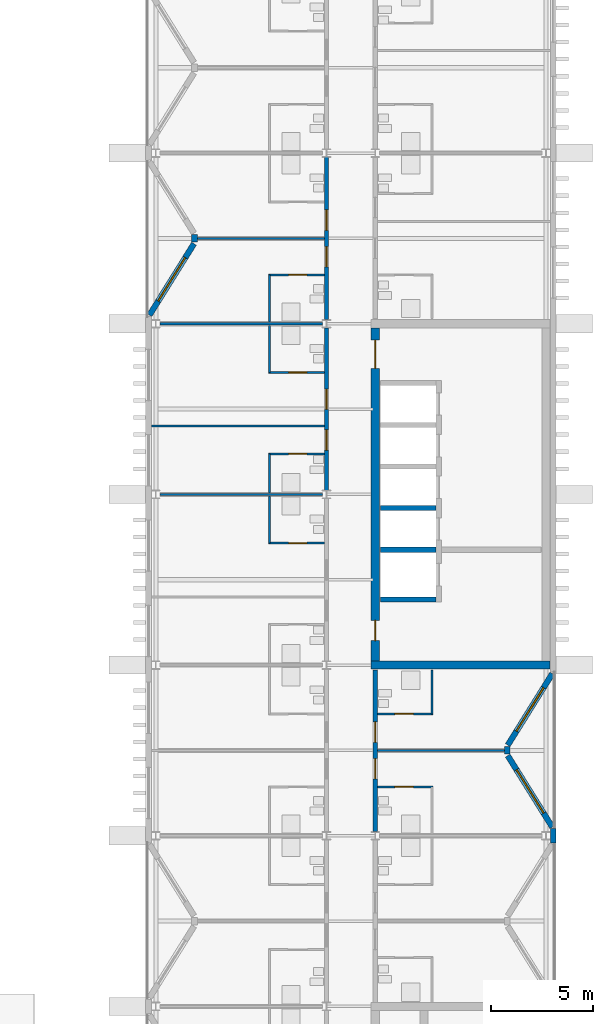
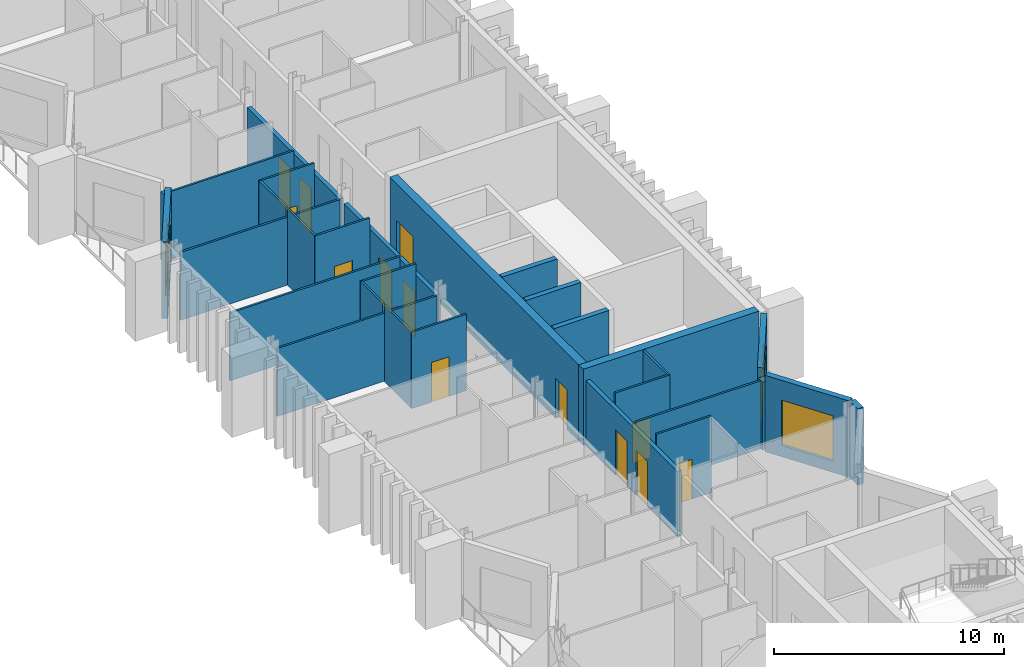
# One storey, part 12 of 21: 30 walls, 14 doors, 3 windows, 17 openings.
"""IFC4 building model written with IfcOpenShell, lengths in metres."""

import ifcopenshell
import ifcopenshell.guid

model = None  # the IFC model being written
_history = None  # IfcOwnerHistory: only IFC2X3 demands one
_inside = {}  # id of a spatial element -> (the spatial element, [elements in it])
_under = {}  # id of a project, library or spatial element -> (it, [spatial elements below it])
_declared = {}  # id of a project -> (the project, [libraries it declares])
_typed = {}  # id of a type object -> (the type object, [elements of that type])
_made_of = {}  # id of a material, layer set ... -> (it, [elements and type objects made of it])


def new_model(schema):
    """Start an empty IFC model of exactly this schema.

    Asked for "IFC4X3", IfcOpenShell would pick the latest addendum, in which some entities
    have other attributes; the version numbers below select the first issue.
    IFC2X3 requires an IfcOwnerHistory on every rooted entity: one is made here for all.
    """
    global model, _history
    if schema == "IFC4X3":
        model = ifcopenshell.file(schema_version=(4, 3, 0, 0))
    else:
        model = ifcopenshell.file(schema=schema)
    _inside.clear()
    _under.clear()
    _declared.clear()
    _typed.clear()
    _made_of.clear()
    _history = None
    if model.schema == "IFC2X3":
        org = make("IfcOrganization", Name="unknown")
        user = make(
            "IfcPersonAndOrganization",
            ThePerson=make("IfcPerson", FamilyName="unknown"),
            TheOrganization=org,
        )
        app = make(
            "IfcApplication",
            ApplicationDeveloper=org,
            Version="unknown",
            ApplicationFullName="unknown",
            ApplicationIdentifier="unknown",
        )
        _history = make(
            "IfcOwnerHistory",
            OwningUser=user,
            OwningApplication=app,
            ChangeAction="ADDED",
            CreationDate=0,
        )
    return model


def make(cls, **values):
    """One entity of the class cls with the attributes given. An attribute that is None is left unset."""
    return model.create_entity(
        cls, **{name: value for name, value in values.items() if value is not None}
    )


def rooted(cls, **values):
    """An entity with a GlobalId (a new one), such as an element, a storey or a relation."""
    return make(cls, GlobalId=ifcopenshell.guid.new(), OwnerHistory=_history, **values)


def si_unit(unit_type, name, prefix=None):
    """IfcSIUnit, for example si_unit("LENGTHUNIT", "METRE", prefix="MILLI")."""
    return make("IfcSIUnit", UnitType=unit_type, Prefix=prefix, Name=name)


def assignment(units):
    """IfcUnitAssignment: the units of a project."""
    return None if units is None else make("IfcUnitAssignment", Units=units)


def point(xyz):
    """IfcCartesianPoint."""
    return None if xyz is None else make("IfcCartesianPoint", Coordinates=xyz)


def direction(xyz):
    """IfcDirection."""
    return None if xyz is None else make("IfcDirection", DirectionRatios=xyz)


def frame(location, z_axis=None, x_axis=None):
    """IfcAxis2Placement3D, a coordinate frame: its origin and axes. An axis left out is left unset."""
    return make(
        "IfcAxis2Placement3D",
        Location=point(location),
        Axis=direction(z_axis),
        RefDirection=direction(x_axis),
    )


def frame_2d(location, x_axis=None):
    """IfcAxis2Placement2D, a coordinate frame in the plane: its origin and x axis."""
    return make(
        "IfcAxis2Placement2D", Location=point(location), RefDirection=direction(x_axis)
    )


def origin():
    """The frame at (0, 0, 0) with its axes left unset."""
    return frame((0.0, 0.0, 0.0))


def place(relative_to, where):
    """IfcLocalPlacement: puts the frame where relative to a parent placement (None: the world)."""
    return make(
        "IfcLocalPlacement", PlacementRelTo=relative_to, RelativePlacement=where
    )


def context(
    kind, dimensions, precision=None, world=None, true_north=None, identifier=None
):
    """IfcGeometricRepresentationContext, for example the 3D "Model" context."""
    return make(
        "IfcGeometricRepresentationContext",
        ContextIdentifier=identifier,
        ContextType=kind,
        CoordinateSpaceDimension=dimensions,
        Precision=precision,
        WorldCoordinateSystem=world,
        TrueNorth=true_north,
    )


def subcontext(parent, identifier, kind, view, scale=None):
    """IfcGeometricRepresentationSubContext, for example "Body" below "Model"."""
    return make(
        "IfcGeometricRepresentationSubContext",
        ContextIdentifier=identifier,
        ContextType=kind,
        ParentContext=parent,
        TargetScale=scale,
        TargetView=view,
    )


def project(units=None, contexts=None):
    """IfcProject with its units and contexts."""
    return rooted(
        "IfcProject",
        Name="project",
        RepresentationContexts=contexts,
        UnitsInContext=assignment(units),
    )


def spatial(cls, under=None, at=None, **own):
    """A site, building, storey or space (cls), placed at a placement, below another one or the project."""
    s = rooted(cls, ObjectPlacement=at, **own)
    if under is not None:
        _under.setdefault(under.id(), (under, []))[1].append(s)
    return s


def profile(cls, at=None, kind="AREA", **sizes):
    """A parametric profile (cls). Its sizes go by their IFC names, for example OverallWidth=200.0."""
    return make(cls, ProfileType=kind, Position=at, **sizes)


def rectangle(**sizes):
    """IfcRectangleProfileDef."""
    return profile("IfcRectangleProfileDef", **sizes)


def extrude(swept, where, along, depth):
    """IfcExtrudedAreaSolid: the profile swept, set in the frame where, extruded along a direction by depth."""
    return make(
        "IfcExtrudedAreaSolid",
        SweptArea=swept,
        Position=where,
        ExtrudedDirection=direction(along),
        Depth=depth,
    )


def shape(context_of_items, identifier, shape_type, items):
    """IfcShapeRepresentation: the items that make up one representation, for example the "Body"."""
    return make(
        "IfcShapeRepresentation",
        ContextOfItems=context_of_items,
        RepresentationIdentifier=identifier,
        RepresentationType=shape_type,
        Items=items,
    )


def material(Name=None, Category=None):
    """IfcMaterial."""
    return make("IfcMaterial", Name=Name, Category=Category)


def layer(
    of_material, thickness, ventilated=None, Name=None, Category=None, Priority=None
):
    """IfcMaterialLayer: one layer of a wall or slab, of a material (None: an air gap)."""
    return make(
        "IfcMaterialLayer",
        Material=of_material,
        LayerThickness=thickness,
        IsVentilated=ventilated,
        Name=Name,
        Category=Category,
        Priority=Priority,
    )


def layer_set(layers, Name=None):
    """IfcMaterialLayerSet."""
    return make("IfcMaterialLayerSet", MaterialLayers=layers, LayerSetName=Name)


def made_of(thing, what):
    """Note that an element or type object is made of a material, layer set ...; save() writes the relation."""
    if what is not None:
        _made_of.setdefault(what.id(), (what, []))[1].append(thing)
    return thing


def type_object(cls, material=None, **own):
    """A type object (cls), such as IfcWallType, which elements share."""
    return made_of(rooted(cls, **own), material)


def element(
    cls,
    number,
    at=None,
    inside=None,
    cuts=None,
    type_object=None,
    material=None,
    context=None,
    identifier="Body",
    shape_type=None,
    held_by="IfcProductDefinitionShape",
    body=None,
    shapes=None,
    **own,
):
    """One element of the class cls, such as IfcWall. Its Tag is "e" and its number.

    at: its placement. inside: the storey or other place that contains it. cuts: it is an
    opening in that element (IfcRelVoidsElement). A single representation is given by context,
    identifier, shape_type and body (its items); several are given by shapes. held_by: the class
    of the entity that holds the representations. save() writes the other relations.
    """
    e = rooted(cls, Tag="e%d" % number, ObjectPlacement=at, **own)
    if body is not None:
        shapes = [shape(context, identifier, shape_type, body)]
    if shapes is not None:
        e.Representation = make(held_by, Representations=shapes)
    if inside is not None:
        _inside.setdefault(inside.id(), (inside, []))[1].append(e)
    if cuts is not None:
        rooted(
            "IfcRelVoidsElement", RelatingBuildingElement=cuts, RelatedOpeningElement=e
        )
    if type_object is not None:
        _typed.setdefault(type_object.id(), (type_object, []))[1].append(e)
    return made_of(e, material)


def fill(opening, filler):
    """IfcRelFillsElement: the door or window that sits in an opening."""
    return rooted(
        "IfcRelFillsElement",
        RelatingOpeningElement=opening,
        RelatedBuildingElement=filler,
    )


def aggregate(whole, parts):
    """IfcRelAggregates: a whole, such as a stair, and the parts it consists of."""
    return rooted("IfcRelAggregates", RelatingObject=whole, RelatedObjects=parts)


def save(model, path):
    """Write the relations noted so far, then the file.

    IfcRelAggregates (storeys below a building ...), IfcRelContainedInSpatialStructure (elements
    in a storey), IfcRelDefinesByType, IfcRelAssociatesMaterial and IfcRelDeclares: one each for
    every whole, place, type object, material and project.
    """
    for whole, parts in _under.values():
        aggregate(whole, parts)
    for where, things in _inside.values():
        rooted(
            "IfcRelContainedInSpatialStructure",
            RelatedElements=things,
            RelatingStructure=where,
        )
    for kind, things in _typed.values():
        rooted("IfcRelDefinesByType", RelatedObjects=things, RelatingType=kind)
    for what, things in _made_of.values():
        rooted("IfcRelAssociatesMaterial", RelatedObjects=things, RelatingMaterial=what)
    for by, libraries in _declared.values():
        rooted("IfcRelDeclares", RelatingContext=by, RelatedDefinitions=libraries)
    model.write(path)


model = new_model("IFC4")

# Units and contexts
model_context = context("Model", 3, precision=1e-05, world=origin(), true_north=direction((0.0, 1.0)))
body_context = subcontext(model_context, "Body", "Model", "MODEL_VIEW")
ifc_project = project(units=[si_unit("LENGTHUNIT", "METRE"), si_unit("AREAUNIT", "SQUARE_METRE"), si_unit("VOLUMEUNIT", "CUBIC_METRE"), si_unit("PLANEANGLEUNIT", "RADIAN"), si_unit("MASSUNIT", "GRAM", prefix="KILO")], contexts=[model_context])

# Site, building, storey
site_placement = place(None, origin())
site = spatial("IfcSite", under=ifc_project, at=site_placement, CompositionType="ELEMENT")
building_placement = place(site_placement, origin())
building = spatial("IfcBuilding", under=site, at=building_placement, Name="Cresset Court Congress Hotel", CompositionType="ELEMENT")
storey_placement = place(building_placement, frame((0.0, 0.0, 22.800048828125)))
storey = spatial("IfcBuildingStorey", under=building, at=storey_placement, Name="L05", CompositionType="ELEMENT", Elevation=22.800048828125)

# Wall, openings, doors
ifc_material_1 = material(Name="Gypsum board partition")
ifc_layer_1 = layer(ifc_material_1, 0.199951171875)
ifc_layer_set_1 = layer_set([ifc_layer_1], Name="Corridor wall 200")
wall_type_1 = type_object("IfcWallType", Name="Corridor wall 200", PredefinedType="PARTITIONING", material=ifc_layer_set_1)
wall_1_placement = place(storey_placement, frame((165.60009765625, 33.800048828125, 0.0), z_axis=(0.0, 0.0, 1.0), x_axis=(0.0, 1.0, 0.0)))
wall_1 = element("IfcWall", 1, at=wall_1_placement, inside=storey, type_object=wall_type_1, Name="A.wl.L05.074", PredefinedType="PARTITIONING", context=body_context, shape_type="SweptSolid", body=[
    extrude(rectangle(XDim=8.0, YDim=0.199951171875, at=frame_2d((4.0, 0.0))), origin(), (0.0, 0.0, 1.0), 3.449951171875),
])
opening_1_placement = place(wall_1_placement, frame((1.97998046875, 0.0, 0.0)))
opening_1 = element("IfcOpeningElement", 2, at=opening_1_placement, cuts=wall_1, Name="Opening DA-05-18", PredefinedType="OPENING", context=body_context, shape_type="SweptSolid", body=[
    extrude(rectangle(XDim=1.0, YDim=2.39990234375, at=frame_2d((0.5, 1.199951171875))), frame((0.0, 0.10986328125, 0.0), z_axis=(0.0, -1.0, 0.0), x_axis=(1.0, 0.0, 0.0)), (0.0, 0.0, 1.0), 0.219970703125),
])
opening_2_placement = place(wall_1_placement, frame((3.97998046875, 0.0, 0.0)))
opening_2 = element("IfcOpeningElement", 3, at=opening_2_placement, cuts=wall_1, Name="Opening DA-05-20", PredefinedType="OPENING", context=body_context, shape_type="SweptSolid", body=[
    extrude(rectangle(XDim=1.0, YDim=2.39990234375, at=frame_2d((0.5, 1.199951171875))), frame((0.0, 0.10986328125, 0.0), z_axis=(0.0, -1.0, 0.0), x_axis=(1.0, 0.0, 0.0)), (0.0, 0.0, 1.0), 0.219970703125),
])
ifc_material_2 = material(Name="timber", Category="wood")
door_type_1 = type_object("IfcDoorType", Name="Guest-room entry door 1000x2400 FD30S", OperationType="SINGLE_SWING_LEFT", PredefinedType="DOOR", material=ifc_material_2)
door_1_placement = place(opening_1_placement, origin())
door_1 = element("IfcDoor", 4, at=door_1_placement, inside=storey, type_object=door_type_1, Name="Door DA-05-18", OperationType="SINGLE_SWING_RIGHT", OverallHeight=2.39990234375, OverallWidth=1.0, PredefinedType="DOOR", context=body_context, shape_type="SweptSolid", body=[
    extrude(rectangle(XDim=1.0, YDim=2.39990234375, at=frame_2d((0.5, 1.199951171875))), frame((0.0, 0.02490234375, 0.0), z_axis=(0.0, -1.0, 0.0), x_axis=(1.0, 0.0, 0.0)), (0.0, 0.0, 1.0), 0.050048828125),
])
fill(opening_1, door_1)
door_2_placement = place(opening_2_placement, origin())
door_2 = element("IfcDoor", 5, at=door_2_placement, inside=storey, type_object=door_type_1, Name="Door DA-05-20", OperationType="SINGLE_SWING_LEFT", OverallHeight=2.39990234375, OverallWidth=1.0, PredefinedType="DOOR", context=body_context, shape_type="SweptSolid", body=[
    extrude(rectangle(XDim=1.0, YDim=2.39990234375, at=frame_2d((0.5, 1.199951171875))), frame((0.0, 0.02490234375, 0.0), z_axis=(0.0, -1.0, 0.0), x_axis=(1.0, 0.0, 0.0)), (0.0, 0.0, 1.0), 0.050048828125),
])
fill(opening_2, door_2)

wall_2_placement = place(storey_placement, frame((165.60009765625, 42.199951171875, 0.0), z_axis=(0.0, 0.0, 1.0), x_axis=(0.0, 1.0, 0.0)))
wall_2 = element("IfcWall", 6, at=wall_2_placement, inside=storey, type_object=wall_type_1, Name="A.wl.L05.075", PredefinedType="PARTITIONING", context=body_context, shape_type="SweptSolid", body=[
    extrude(rectangle(XDim=8.0, YDim=0.199951171875, at=frame_2d((4.0, 0.0))), origin(), (0.0, 0.0, 1.0), 3.449951171875),
])
opening_3_placement = place(wall_2_placement, frame((2.60009765625, 0.0, 0.0)))
opening_3 = element("IfcOpeningElement", 7, at=opening_3_placement, cuts=wall_2, Name="Opening DA-05-22", PredefinedType="OPENING", context=body_context, shape_type="SweptSolid", body=[
    extrude(rectangle(XDim=1.0, YDim=2.39990234375, at=frame_2d((0.5, 1.199951171875))), frame((0.0, 0.10986328125, 0.0), z_axis=(0.0, -1.0, 0.0), x_axis=(1.0, 0.0, 0.0)), (0.0, 0.0, 1.0), 0.219970703125),
])
opening_4_placement = place(wall_2_placement, frame((4.39990234375, 0.0, 0.0)))
opening_4 = element("IfcOpeningElement", 8, at=opening_4_placement, cuts=wall_2, Name="Opening DA-05-24", PredefinedType="OPENING", context=body_context, shape_type="SweptSolid", body=[
    extrude(rectangle(XDim=1.0, YDim=2.39990234375, at=frame_2d((0.5, 1.199951171875))), frame((0.0, 0.10986328125, 0.0), z_axis=(0.0, -1.0, 0.0), x_axis=(1.0, 0.0, 0.0)), (0.0, 0.0, 1.0), 0.219970703125),
])
door_3_placement = place(opening_3_placement, origin())
door_3 = element("IfcDoor", 9, at=door_3_placement, inside=storey, type_object=door_type_1, Name="Door DA-05-22", OperationType="SINGLE_SWING_RIGHT", OverallHeight=2.39990234375, OverallWidth=1.0, PredefinedType="DOOR", context=body_context, shape_type="SweptSolid", body=[
    extrude(rectangle(XDim=1.0, YDim=2.39990234375, at=frame_2d((0.5, 1.199951171875))), frame((0.0, 0.02490234375, 0.0), z_axis=(0.0, -1.0, 0.0), x_axis=(1.0, 0.0, 0.0)), (0.0, 0.0, 1.0), 0.050048828125),
])
fill(opening_3, door_3)
door_4_placement = place(opening_4_placement, origin())
door_4 = element("IfcDoor", 10, at=door_4_placement, inside=storey, type_object=door_type_1, Name="Door DA-05-24", OperationType="SINGLE_SWING_LEFT", OverallHeight=2.39990234375, OverallWidth=1.0, PredefinedType="DOOR", context=body_context, shape_type="SweptSolid", body=[
    extrude(rectangle(XDim=1.0, YDim=2.39990234375, at=frame_2d((0.5, 1.199951171875))), frame((0.0, 0.02490234375, 0.0), z_axis=(0.0, -1.0, 0.0), x_axis=(1.0, 0.0, 0.0)), (0.0, 0.0, 1.0), 0.050048828125),
])
fill(opening_4, door_4)

wall_3_placement = place(storey_placement, frame((168.0, 17.0, 0.0), z_axis=(0.0, 0.0, 1.0), x_axis=(0.0, 1.0, 0.0)))
wall_3 = element("IfcWall", 11, at=wall_3_placement, inside=storey, type_object=wall_type_1, Name="A.wl.L05.079", PredefinedType="PARTITIONING", context=body_context, shape_type="SweptSolid", body=[
    extrude(rectangle(XDim=7.949951171875, YDim=0.199951171875, at=frame_2d((3.97509765625, 0.0))), origin(), (0.0, 0.0, 1.0), 3.449951171875),
])
opening_5_placement = place(wall_3_placement, frame((2.60009765625, 0.0, 0.0)))
opening_5 = element("IfcOpeningElement", 12, at=opening_5_placement, cuts=wall_3, Name="Opening DA-05-38", PredefinedType="OPENING", context=body_context, shape_type="SweptSolid", body=[
    extrude(rectangle(XDim=1.0, YDim=2.39990234375, at=frame_2d((0.5, 1.199951171875))), frame((0.0, 0.10986328125, 0.0), z_axis=(0.0, -1.0, 0.0), x_axis=(1.0, 0.0, 0.0)), (0.0, 0.0, 1.0), 0.219970703125),
])
opening_6_placement = place(wall_3_placement, frame((4.39990234375, 0.0, 0.0)))
opening_6 = element("IfcOpeningElement", 13, at=opening_6_placement, cuts=wall_3, Name="Opening DA-05-40", PredefinedType="OPENING", context=body_context, shape_type="SweptSolid", body=[
    extrude(rectangle(XDim=1.0, YDim=2.39990234375, at=frame_2d((0.5, 1.199951171875))), frame((0.0, 0.10986328125, 0.0), z_axis=(0.0, -1.0, 0.0), x_axis=(1.0, 0.0, 0.0)), (0.0, 0.0, 1.0), 0.219970703125),
])
door_5_placement = place(opening_5_placement, origin())
door_5 = element("IfcDoor", 14, at=door_5_placement, inside=storey, type_object=door_type_1, Name="Door DA-05-38", OperationType="SINGLE_SWING_RIGHT", OverallHeight=2.39990234375, OverallWidth=1.0, PredefinedType="DOOR", context=body_context, shape_type="SweptSolid", body=[
    extrude(rectangle(XDim=1.0, YDim=2.39990234375, at=frame_2d((0.5, 1.199951171875))), frame((0.0, 0.02490234375, 0.0), z_axis=(0.0, -1.0, 0.0), x_axis=(1.0, 0.0, 0.0)), (0.0, 0.0, 1.0), 0.050048828125),
])
fill(opening_5, door_5)
door_6_placement = place(opening_6_placement, origin())
door_6 = element("IfcDoor", 15, at=door_6_placement, inside=storey, type_object=door_type_1, Name="Door DA-05-40", OperationType="SINGLE_SWING_LEFT", OverallHeight=2.39990234375, OverallWidth=1.0, PredefinedType="DOOR", context=body_context, shape_type="SweptSolid", body=[
    extrude(rectangle(XDim=1.0, YDim=2.39990234375, at=frame_2d((0.5, 1.199951171875))), frame((0.0, 0.02490234375, 0.0), z_axis=(0.0, -1.0, 0.0), x_axis=(1.0, 0.0, 0.0)), (0.0, 0.0, 1.0), 0.050048828125),
])
fill(opening_6, door_6)

# Wall
ifc_material_3 = material(Name="Gypsum board partition")
ifc_layer_2 = layer(ifc_material_3, 0.10009765625)
ifc_layer_set_2 = layer_set([ifc_layer_2], Name="En-suite wall 100")
wall_type_2 = type_object("IfcWallType", Name="En-suite wall 100", PredefinedType="PARTITIONING", material=ifc_layer_set_2)
wall_4_placement = place(storey_placement, frame((162.800048828125, 31.199951171875, 0.0), z_axis=(0.0, 0.0, 1.0), x_axis=(0.0, 1.0, 0.0)))
element("IfcWall", 16, at=wall_4_placement, inside=storey, type_object=wall_type_2, Name="A.wl.L05.015", PredefinedType="PARTITIONING", context=body_context, shape_type="SweptSolid", body=[
    extrude(rectangle(XDim=2.324951171875, YDim=0.10009765625, at=frame_2d((1.16259765625, 0.0))), origin(), (0.0, 0.0, 1.0), 4.050048828125),
])

# Wall, opening, door
wall_5_placement = place(storey_placement, frame((162.75, 31.199951171875, 0.0), z_axis=(0.0, 0.0, 1.0), x_axis=(1.0, 0.0, 0.0)))
wall_5 = element("IfcWall", 17, at=wall_5_placement, inside=storey, type_object=wall_type_2, Name="A.wl.L05.016", PredefinedType="PARTITIONING", context=body_context, shape_type="SweptSolid", body=[
    extrude(rectangle(XDim=2.75, YDim=0.10009765625, at=frame_2d((1.375, 0.0))), origin(), (0.0, 0.0, 1.0), 4.050048828125),
])
opening_7_placement = place(wall_5_placement, frame((0.97998046875, 0.0, 0.0)))
opening_7 = element("IfcOpeningElement", 18, at=opening_7_placement, cuts=wall_5, Name="Opening DA-05-15", PredefinedType="OPENING", context=body_context, shape_type="SweptSolid", body=[
    extrude(rectangle(XDim=0.89990234375, YDim=2.10009765625, at=frame_2d((0.449951171875, 1.050048828125))), frame((0.0, 0.06005859375, 0.0), z_axis=(0.0, -1.0, 0.0), x_axis=(1.0, 0.0, 0.0)), (0.0, 0.0, 1.0), 0.1201171875),
])
ifc_material_4 = material(Name="timber", Category="wood")
door_type_2 = type_object("IfcDoorType", Name="En-suite door 900x2100", OperationType="SINGLE_SWING_LEFT", PredefinedType="DOOR", material=ifc_material_4)
door_7_placement = place(opening_7_placement, origin())
door_7 = element("IfcDoor", 19, at=door_7_placement, inside=storey, type_object=door_type_2, Name="Door DA-05-15", OperationType="SINGLE_SWING_LEFT", OverallHeight=2.10009765625, OverallWidth=0.89990234375, PredefinedType="DOOR", context=body_context, shape_type="SweptSolid", body=[
    extrude(rectangle(XDim=0.89990234375, YDim=2.10009765625, at=frame_2d((0.449951171875, 1.050048828125))), frame((0.0, 0.02490234375, 0.0), z_axis=(0.0, -1.0, 0.0), x_axis=(1.0, 0.0, 0.0)), (0.0, 0.0, 1.0), 0.050048828125),
])
fill(opening_7, door_7)

# Wall
wall_6_placement = place(storey_placement, frame((162.800048828125, 33.675048828125, 0.0), z_axis=(0.0, 0.0, 1.0), x_axis=(0.0, 1.0, 0.0)))
element("IfcWall", 20, at=wall_6_placement, inside=storey, type_object=wall_type_2, Name="A.wl.L05.017", PredefinedType="PARTITIONING", context=body_context, shape_type="SweptSolid", body=[
    extrude(rectangle(XDim=1.925048828125, YDim=0.10009765625, at=frame_2d((0.96240234375, 0.0))), origin(), (0.0, 0.0, 1.0), 4.050048828125),
])

# Wall, opening, door
wall_7_placement = place(storey_placement, frame((162.75, 35.60009765625, 0.0), z_axis=(0.0, 0.0, 1.0), x_axis=(1.0, 0.0, 0.0)))
wall_7 = element("IfcWall", 21, at=wall_7_placement, inside=storey, type_object=wall_type_2, Name="A.wl.L05.018", PredefinedType="PARTITIONING", context=body_context, shape_type="SweptSolid", body=[
    extrude(rectangle(XDim=2.75, YDim=0.10009765625, at=frame_2d((1.375, 0.0))), origin(), (0.0, 0.0, 1.0), 4.050048828125),
])
opening_8_placement = place(wall_7_placement, frame((0.97998046875, 0.0, 0.0)))
opening_8 = element("IfcOpeningElement", 22, at=opening_8_placement, cuts=wall_7, Name="Opening DA-05-17", PredefinedType="OPENING", context=body_context, shape_type="SweptSolid", body=[
    extrude(rectangle(XDim=0.89990234375, YDim=2.10009765625, at=frame_2d((0.449951171875, 1.050048828125))), frame((0.0, 0.06005859375, 0.0), z_axis=(0.0, -1.0, 0.0), x_axis=(1.0, 0.0, 0.0)), (0.0, 0.0, 1.0), 0.1201171875),
])
door_8_placement = place(opening_8_placement, origin())
door_8 = element("IfcDoor", 23, at=door_8_placement, inside=storey, type_object=door_type_2, Name="Door DA-05-17", OperationType="SINGLE_SWING_RIGHT", OverallHeight=2.10009765625, OverallWidth=0.89990234375, PredefinedType="DOOR", context=body_context, shape_type="SweptSolid", body=[
    extrude(rectangle(XDim=0.89990234375, YDim=2.10009765625, at=frame_2d((0.449951171875, 1.050048828125))), frame((0.0, 0.02490234375, 0.0), z_axis=(0.0, -1.0, 0.0), x_axis=(1.0, 0.0, 0.0)), (0.0, 0.0, 1.0), 0.050048828125),
])
fill(opening_8, door_8)

# Wall
wall_8_placement = place(storey_placement, frame((162.800048828125, 39.60009765625, 0.0), z_axis=(0.0, 0.0, 1.0), x_axis=(0.0, 1.0, 0.0)))
element("IfcWall", 24, at=wall_8_placement, inside=storey, type_object=wall_type_2, Name="A.wl.L05.019", PredefinedType="PARTITIONING", context=body_context, shape_type="SweptSolid", body=[
    extrude(rectangle(XDim=2.324951171875, YDim=0.10009765625, at=frame_2d((1.16259765625, 0.0))), origin(), (0.0, 0.0, 1.0), 4.050048828125),
])

# Wall, opening, door
wall_9_placement = place(storey_placement, frame((162.75, 39.60009765625, 0.0), z_axis=(0.0, 0.0, 1.0), x_axis=(1.0, 0.0, 0.0)))
wall_9 = element("IfcWall", 25, at=wall_9_placement, inside=storey, type_object=wall_type_2, Name="A.wl.L05.020", PredefinedType="PARTITIONING", context=body_context, shape_type="SweptSolid", body=[
    extrude(rectangle(XDim=2.75, YDim=0.10009765625, at=frame_2d((1.375, 0.0))), origin(), (0.0, 0.0, 1.0), 4.050048828125),
])
opening_9_placement = place(wall_9_placement, frame((0.97998046875, 0.0, 0.0)))
opening_9 = element("IfcOpeningElement", 26, at=opening_9_placement, cuts=wall_9, Name="Opening DA-05-19", PredefinedType="OPENING", context=body_context, shape_type="SweptSolid", body=[
    extrude(rectangle(XDim=0.89990234375, YDim=2.10009765625, at=frame_2d((0.449951171875, 1.050048828125))), frame((0.0, 0.06005859375, 0.0), z_axis=(0.0, -1.0, 0.0), x_axis=(1.0, 0.0, 0.0)), (0.0, 0.0, 1.0), 0.1201171875),
])
door_9_placement = place(opening_9_placement, origin())
door_9 = element("IfcDoor", 27, at=door_9_placement, inside=storey, type_object=door_type_2, Name="Door DA-05-19", OperationType="SINGLE_SWING_LEFT", OverallHeight=2.10009765625, OverallWidth=0.89990234375, PredefinedType="DOOR", context=body_context, shape_type="SweptSolid", body=[
    extrude(rectangle(XDim=0.89990234375, YDim=2.10009765625, at=frame_2d((0.449951171875, 1.050048828125))), frame((0.0, 0.02490234375, 0.0), z_axis=(0.0, -1.0, 0.0), x_axis=(1.0, 0.0, 0.0)), (0.0, 0.0, 1.0), 0.050048828125),
])
fill(opening_9, door_9)

# Wall
wall_10_placement = place(storey_placement, frame((162.800048828125, 42.074951171875, 0.0), z_axis=(0.0, 0.0, 1.0), x_axis=(0.0, 1.0, 0.0)))
element("IfcWall", 28, at=wall_10_placement, inside=storey, type_object=wall_type_2, Name="A.wl.L05.021", PredefinedType="PARTITIONING", context=body_context, shape_type="SweptSolid", body=[
    extrude(rectangle(XDim=2.324951171875, YDim=0.10009765625, at=frame_2d((1.16259765625, 0.0))), origin(), (0.0, 0.0, 1.0), 4.050048828125),
])

# Wall, opening, door
wall_11_placement = place(storey_placement, frame((162.75, 44.39990234375, 0.0), z_axis=(0.0, 0.0, 1.0), x_axis=(1.0, 0.0, 0.0)))
wall_11 = element("IfcWall", 29, at=wall_11_placement, inside=storey, type_object=wall_type_2, Name="A.wl.L05.022", PredefinedType="PARTITIONING", context=body_context, shape_type="SweptSolid", body=[
    extrude(rectangle(XDim=2.75, YDim=0.10009765625, at=frame_2d((1.375, 0.0))), origin(), (0.0, 0.0, 1.0), 4.050048828125),
])
opening_10_placement = place(wall_11_placement, frame((0.97998046875, 0.0, 0.0)))
opening_10 = element("IfcOpeningElement", 30, at=opening_10_placement, cuts=wall_11, Name="Opening DA-05-21", PredefinedType="OPENING", context=body_context, shape_type="SweptSolid", body=[
    extrude(rectangle(XDim=0.89990234375, YDim=2.10009765625, at=frame_2d((0.449951171875, 1.050048828125))), frame((0.0, 0.06005859375, 0.0), z_axis=(0.0, -1.0, 0.0), x_axis=(1.0, 0.0, 0.0)), (0.0, 0.0, 1.0), 0.1201171875),
])
door_10_placement = place(opening_10_placement, origin())
door_10 = element("IfcDoor", 31, at=door_10_placement, inside=storey, type_object=door_type_2, Name="Door DA-05-21", OperationType="SINGLE_SWING_RIGHT", OverallHeight=2.10009765625, OverallWidth=0.89990234375, PredefinedType="DOOR", context=body_context, shape_type="SweptSolid", body=[
    extrude(rectangle(XDim=0.89990234375, YDim=2.10009765625, at=frame_2d((0.449951171875, 1.050048828125))), frame((0.0, 0.02490234375, 0.0), z_axis=(0.0, -1.0, 0.0), x_axis=(1.0, 0.0, 0.0)), (0.0, 0.0, 1.0), 0.050048828125),
])
fill(opening_10, door_10)

wall_12_placement = place(storey_placement, frame((170.85009765625, 19.199951171875, 0.0), z_axis=(0.0, 0.0, 1.0), x_axis=(-1.0, 0.0, 0.0)))
wall_12 = element("IfcWall", 32, at=wall_12_placement, inside=storey, type_object=wall_type_2, Name="A.wl.L05.038", PredefinedType="PARTITIONING", context=body_context, shape_type="SweptSolid", body=[
    extrude(rectangle(XDim=2.75, YDim=0.10009765625, at=frame_2d((1.375, 0.0))), origin(), (0.0, 0.0, 1.0), 4.050048828125),
])
opening_11_placement = place(wall_12_placement, frame((0.97998046875, 0.0, 0.0)))
opening_11 = element("IfcOpeningElement", 33, at=opening_11_placement, cuts=wall_12, Name="Opening DA-05-37", PredefinedType="OPENING", context=body_context, shape_type="SweptSolid", body=[
    extrude(rectangle(XDim=0.89990234375, YDim=2.10009765625, at=frame_2d((0.449951171875, 1.050048828125))), frame((0.0, 0.06005859375, 0.0), z_axis=(0.0, -1.0, 0.0), x_axis=(1.0, 0.0, 0.0)), (0.0, 0.0, 1.0), 0.1201171875),
])
door_11_placement = place(opening_11_placement, origin())
door_11 = element("IfcDoor", 34, at=door_11_placement, inside=storey, type_object=door_type_2, Name="Door DA-05-37", OperationType="SINGLE_SWING_RIGHT", OverallHeight=2.10009765625, OverallWidth=0.89990234375, PredefinedType="DOOR", context=body_context, shape_type="SweptSolid", body=[
    extrude(rectangle(XDim=0.89990234375, YDim=2.10009765625, at=frame_2d((0.449951171875, 1.050048828125))), frame((0.0, 0.02490234375, 0.0), z_axis=(0.0, -1.0, 0.0), x_axis=(1.0, 0.0, 0.0)), (0.0, 0.0, 1.0), 0.050048828125),
])
fill(opening_11, door_11)

# Wall
wall_13_placement = place(storey_placement, frame((170.800048828125, 22.800048828125, 0.0), z_axis=(0.0, 0.0, 1.0), x_axis=(0.0, 1.0, 0.0)))
element("IfcWall", 35, at=wall_13_placement, inside=storey, type_object=wall_type_2, Name="A.wl.L05.039", PredefinedType="PARTITIONING", context=body_context, shape_type="SweptSolid", body=[
    extrude(rectangle(XDim=2.14990234375, YDim=0.10009765625, at=frame_2d((1.074951171875, 0.0))), origin(), (0.0, 0.0, 1.0), 4.050048828125),
])

# Wall, opening, door
wall_14_placement = place(storey_placement, frame((170.85009765625, 22.800048828125, 0.0), z_axis=(0.0, 0.0, 1.0), x_axis=(-1.0, 0.0, 0.0)))
wall_14 = element("IfcWall", 36, at=wall_14_placement, inside=storey, type_object=wall_type_2, Name="A.wl.L05.040", PredefinedType="PARTITIONING", context=body_context, shape_type="SweptSolid", body=[
    extrude(rectangle(XDim=2.75, YDim=0.10009765625, at=frame_2d((1.375, 0.0))), origin(), (0.0, 0.0, 1.0), 4.050048828125),
])
opening_12_placement = place(wall_14_placement, frame((0.97998046875, 0.0, 0.0)))
opening_12 = element("IfcOpeningElement", 37, at=opening_12_placement, cuts=wall_14, Name="Opening DA-05-39", PredefinedType="OPENING", context=body_context, shape_type="SweptSolid", body=[
    extrude(rectangle(XDim=0.89990234375, YDim=2.10009765625, at=frame_2d((0.449951171875, 1.050048828125))), frame((0.0, 0.06005859375, 0.0), z_axis=(0.0, -1.0, 0.0), x_axis=(1.0, 0.0, 0.0)), (0.0, 0.0, 1.0), 0.1201171875),
])
door_12_placement = place(opening_12_placement, origin())
door_12 = element("IfcDoor", 38, at=door_12_placement, inside=storey, type_object=door_type_2, Name="Door DA-05-39", OperationType="SINGLE_SWING_LEFT", OverallHeight=2.10009765625, OverallWidth=0.89990234375, PredefinedType="DOOR", context=body_context, shape_type="SweptSolid", body=[
    extrude(rectangle(XDim=0.89990234375, YDim=2.10009765625, at=frame_2d((0.449951171875, 1.050048828125))), frame((0.0, 0.02490234375, 0.0), z_axis=(0.0, -1.0, 0.0), x_axis=(1.0, 0.0, 0.0)), (0.0, 0.0, 1.0), 0.050048828125),
])
fill(opening_12, door_12)

# Wall, opening, window
ifc_material_5 = material(Name="Precast concrete C50", Category="concrete")
ifc_layer_3 = layer(ifc_material_5, 0.280029296875)
ifc_layer_set_3 = layer_set([ifc_layer_3], Name="External wall 280")
wall_type_3 = type_object("IfcWallType", Name="External wall 280", PredefinedType="SOLIDWALL", material=ifc_layer_set_3)
wall_15_placement = place(storey_placement, frame((156.88623046875, 42.424072265625, 0.0), z_axis=(0.0, 0.0, 1.0), x_axis=(0.529018946142, 0.848610013271, 0.0)))
wall_15 = element("IfcWall", 39, at=wall_15_placement, inside=storey, type_object=wall_type_3, Name="A.ew.L05.Wn.5.0", PredefinedType="SOLIDWALL", context=body_context, shape_type="SweptSolid", body=[
    extrude(rectangle(XDim=4.144287109375, YDim=0.280029296875, at=frame_2d((2.072265625, 0.0))), origin(), (0.0, 0.0, 1.0), 4.050048828125),
])
opening_13_placement = place(wall_15_placement, frame((0.812255859375, 0.0, 0.60009765625)))
opening_13 = element("IfcOpeningElement", 40, at=opening_13_placement, cuts=wall_15, Name="Opening NA-05-11", PredefinedType="OPENING", context=body_context, shape_type="SweptSolid", body=[
    extrude(rectangle(XDim=2.52001953125, YDim=2.39990234375, at=frame_2d((1.260009765625, 1.199951171875))), frame((0.0, 0.14990234375, 0.0), z_axis=(0.0, -1.0, 0.0), x_axis=(1.0, 0.0, 0.0)), (0.0, 0.0, 1.0), 0.300048828125),
])
ifc_material_6 = material(Name="Aluminium and glass", Category="aluminium")
window_type = type_object("IfcWindowType", Name="Window 2520x2400", PartitioningType="SINGLE_PANEL", PredefinedType="WINDOW", material=ifc_material_6)
window_1_placement = place(opening_13_placement, origin())
window_1 = element("IfcWindow", 41, at=window_1_placement, inside=storey, type_object=window_type, Name="Window NA-05-11", OverallHeight=2.39990234375, OverallWidth=2.52001953125, PartitioningType="SINGLE_PANEL", PredefinedType="WINDOW", context=body_context, shape_type="SweptSolid", body=[
    extrude(rectangle(XDim=2.52001953125, YDim=2.39990234375, at=frame_2d((1.260009765625, 1.199951171875))), frame((0.0, 0.030029296875, 0.0), z_axis=(0.0, -1.0, 0.0), x_axis=(1.0, 0.0, 0.0)), (0.0, 0.0, 1.0), 0.06005859375),
])
fill(opening_13, window_1)

# Walls
wall_16_placement = place(storey_placement, frame((159.099609375, 46.01513671875, 0.0), z_axis=(0.0, 0.0, 1.0), x_axis=(0.0, 1.0, 0.0)))
element("IfcWall", 42, at=wall_16_placement, inside=storey, type_object=wall_type_3, Name="A.ew.L05.Wn.5.2", PredefinedType="SOLIDWALL", context=body_context, shape_type="SweptSolid", body=[
    extrude(rectangle(XDim=0.369873046875, YDim=0.280029296875, at=frame_2d((0.18505859375, 0.0))), origin(), (0.0, 0.0, 1.0), 3.60400390625),
])
wall_17_placement = place(storey_placement, frame((176.760009765625, 16.449951171875, 0.0), z_axis=(0.0, 0.0, 1.0), x_axis=(0.0, 1.0, 0.0)))
element("IfcWall", 43, at=wall_17_placement, inside=storey, type_object=wall_type_3, Name="A.ew.L05.E.2", PredefinedType="SOLIDWALL", context=body_context, shape_type="SweptSolid", body=[
    extrude(rectangle(XDim=0.699951171875, YDim=0.280029296875, at=frame_2d((0.35009765625, 0.0))), origin(), (0.0, 0.0, 1.0), 4.050048828125),
])

# Wall, opening, window
wall_18_placement = place(storey_placement, frame((176.7138671875, 17.22412109375, 0.0), z_axis=(0.0, 0.0, 1.0), x_axis=(-0.529018946142, 0.848610013271, 0.0)))
wall_18 = element("IfcWall", 44, at=wall_18_placement, inside=storey, type_object=wall_type_3, Name="A.ew.L05.En.2.0", PredefinedType="SOLIDWALL", context=body_context, shape_type="SweptSolid", body=[
    extrude(rectangle(XDim=4.144287109375, YDim=0.280029296875, at=frame_2d((2.072265625, 0.0))), origin(), (0.0, 0.0, 1.0), 4.050048828125),
])
opening_14_placement = place(wall_18_placement, frame((0.81201171875, 0.0, 0.60009765625)))
opening_14 = element("IfcOpeningElement", 45, at=opening_14_placement, cuts=wall_18, Name="Opening NA-05-19", PredefinedType="OPENING", context=body_context, shape_type="SweptSolid", body=[
    extrude(rectangle(XDim=2.52001953125, YDim=2.39990234375, at=frame_2d((1.260009765625, 1.199951171875))), frame((0.0, 0.14990234375, 0.0), z_axis=(0.0, -1.0, 0.0), x_axis=(1.0, 0.0, 0.0)), (0.0, 0.0, 1.0), 0.300048828125),
])
window_2_placement = place(opening_14_placement, origin())
window_2 = element("IfcWindow", 46, at=window_2_placement, inside=storey, type_object=window_type, Name="Window NA-05-19", OverallHeight=2.39990234375, OverallWidth=2.52001953125, PartitioningType="SINGLE_PANEL", PredefinedType="WINDOW", context=body_context, shape_type="SweptSolid", body=[
    extrude(rectangle(XDim=2.52001953125, YDim=2.39990234375, at=frame_2d((1.260009765625, 1.199951171875))), frame((0.0, 0.030029296875, 0.0), z_axis=(0.0, -1.0, 0.0), x_axis=(1.0, 0.0, 0.0)), (0.0, 0.0, 1.0), 0.06005859375),
])
fill(opening_14, window_2)

wall_19_placement = place(storey_placement, frame((174.521484375, 21.259033203125, 0.0), z_axis=(0.0, 0.0, 1.0), x_axis=(0.529018946142, 0.848610013271, 0.0)))
wall_19 = element("IfcWall", 47, at=wall_19_placement, inside=storey, type_object=wall_type_3, Name="A.ew.L05.En.2.1", PredefinedType="SOLIDWALL", context=body_context, shape_type="SweptSolid", body=[
    extrude(rectangle(XDim=4.144287109375, YDim=0.280029296875, at=frame_2d((2.072265625, 0.0))), origin(), (0.0, 0.0, 1.0), 4.050048828125),
])
opening_15_placement = place(wall_19_placement, frame((0.81201171875, 0.0, 0.60009765625)))
opening_15 = element("IfcOpeningElement", 48, at=opening_15_placement, cuts=wall_19, Name="Opening NA-05-20", PredefinedType="OPENING", context=body_context, shape_type="SweptSolid", body=[
    extrude(rectangle(XDim=2.52001953125, YDim=2.39990234375, at=frame_2d((1.260009765625, 1.199951171875))), frame((0.0, 0.14990234375, 0.0), z_axis=(0.0, -1.0, 0.0), x_axis=(1.0, 0.0, 0.0)), (0.0, 0.0, 1.0), 0.300048828125),
])
window_3_placement = place(opening_15_placement, origin())
window_3 = element("IfcWindow", 49, at=window_3_placement, inside=storey, type_object=window_type, Name="Window NA-05-20", OverallHeight=2.39990234375, OverallWidth=2.52001953125, PartitioningType="SINGLE_PANEL", PredefinedType="WINDOW", context=body_context, shape_type="SweptSolid", body=[
    extrude(rectangle(XDim=2.52001953125, YDim=2.39990234375, at=frame_2d((1.260009765625, 1.199951171875))), frame((0.0, 0.030029296875, 0.0), z_axis=(0.0, -1.0, 0.0), x_axis=(1.0, 0.0, 0.0)), (0.0, 0.0, 1.0), 0.06005859375),
])
fill(opening_15, window_3)

# Walls
wall_20_placement = place(storey_placement, frame((174.500244140625, 20.815185546875, 0.0), z_axis=(0.0, 0.0, 1.0), x_axis=(0.0, 1.0, 0.0)))
element("IfcWall", 50, at=wall_20_placement, inside=storey, type_object=wall_type_3, Name="A.ew.L05.En.2.2", PredefinedType="SOLIDWALL", context=body_context, shape_type="SweptSolid", body=[
    extrude(rectangle(XDim=0.36962890625, YDim=0.280029296875, at=frame_2d((0.184814453125, 0.0))), origin(), (0.0, 0.0, 1.0), 3.60400390625),
])
ifc_material_7 = material(Name="Gypsum board partition")
ifc_layer_4 = layer(ifc_material_7, 0.10009765625)
ifc_layer_set_4 = layer_set([ifc_layer_4], Name="Guest-room partition 100")
wall_type_4 = type_object("IfcWallType", Name="Guest-room partition 100", PredefinedType="PARTITIONING", material=ifc_layer_set_4)
for number, where, z_axis, x_axis, name in (
    (51, (157.39990234375, 33.60009765625, 0.0), (0.0, 0.0, 1.0), (1.0, 0.0, 0.0), "A.wl.L05.052"),
    (52, (157.39990234375, 42.0, 0.0), (0.0, 0.0, 1.0), (1.0, 0.0, 0.0), "A.wl.L05.053"),
):
    element("IfcWall", number, at=place(storey_placement, frame(where, z_axis=z_axis, x_axis=x_axis)), inside=storey, type_object=wall_type_4, Name=name, PredefinedType="PARTITIONING", context=body_context, shape_type="SweptSolid", body=[
        extrude(rectangle(XDim=8.0, YDim=0.10009765625, at=frame_2d((4.0, 0.0))), origin(), (0.0, 0.0, 1.0), 3.60400390625),
    ])
wall_21_placement = place(storey_placement, frame((156.97998046875, 36.9599609375, 0.0), z_axis=(0.0, 0.0, 1.0), x_axis=(1.0, 0.0, 0.0)))
element("IfcWall", 53, at=wall_21_placement, inside=storey, type_object=wall_type_4, Name="A.wl.L05.062", PredefinedType="PARTITIONING", context=body_context, shape_type="SweptSolid", body=[
    extrude(rectangle(XDim=8.52001953125, YDim=0.10009765625, at=frame_2d((4.260009765625, 0.0))), origin(), (0.0, 0.0, 1.0), 3.60400390625),
])
for number, where, z_axis, x_axis, name in (
    (54, (159.23974609375, 46.199951171875, 0.0), (0.0, 0.0, 1.0), (1.0, 0.0, 0.0), "A.wl.L05.063"),
    (55, (168.10009765625, 21.0, 0.0), (0.0, 0.0, 1.0), (1.0, 0.0, 0.0), "A.wl.L05.067"),
):
    element("IfcWall", number, at=place(storey_placement, frame(where, z_axis=z_axis, x_axis=x_axis)), inside=storey, type_object=wall_type_4, Name=name, PredefinedType="PARTITIONING", context=body_context, shape_type="SweptSolid", body=[
        extrude(rectangle(XDim=6.26025390625, YDim=0.10009765625, at=frame_2d((3.130126953125, 0.0))), origin(), (0.0, 0.0, 1.0), 3.60400390625),
    ])
ifc_material_8 = material(Name="Concrete C50", Category="concrete")
ifc_layer_5 = layer(ifc_material_8, 0.39990234375)
ifc_layer_set_5 = layer_set([ifc_layer_5], Name="Lift core wall 400")
wall_type_5 = type_object("IfcWallType", Name="Lift core wall 400", PredefinedType="SOLIDWALL", material=ifc_layer_set_5)
wall_22_placement = place(storey_placement, frame((167.800048828125, 25.199951171875, 0.0), z_axis=(0.0, 0.0, 1.0), x_axis=(1.0, 0.0, 0.0)))
element("IfcWall", 56, at=wall_22_placement, inside=storey, type_object=wall_type_5, Name="A.cw.LC-A.L05.S", PredefinedType="SOLIDWALL", context=body_context, shape_type="SweptSolid", body=[
    extrude(rectangle(XDim=8.800048828125, YDim=0.39990234375, at=frame_2d((4.39990234375, 0.0))), origin(), (0.0, 0.0, 1.0), 4.050048828125),
])

# Wall, openings, doors
wall_23_placement = place(storey_placement, frame((168.0, 25.39990234375, 0.0), z_axis=(0.0, 0.0, 1.0), x_axis=(0.0, 1.0, 0.0)))
wall_23 = element("IfcWall", 57, at=wall_23_placement, inside=storey, type_object=wall_type_5, Name="A.cw.LC-A.L05.W", PredefinedType="SOLIDWALL", context=body_context, shape_type="SweptSolid", body=[
    extrude(rectangle(XDim=16.400146484375, YDim=0.39990234375, at=frame_2d((8.2001953125, 0.0))), origin(), (0.0, 0.0, 1.0), 4.050048828125),
])
opening_16_placement = place(wall_23_placement, frame((1.0, 0.0, 0.0)))
opening_16 = element("IfcOpeningElement", 58, at=opening_16_placement, cuts=wall_23, Name="Opening DA-05-60", PredefinedType="OPENING", context=body_context, shape_type="SweptSolid", body=[
    extrude(rectangle(XDim=1.0, YDim=2.10009765625, at=frame_2d((0.5, 1.050048828125))), frame((0.0, 0.2099609375, 0.0), z_axis=(0.0, -1.0, 0.0), x_axis=(1.0, 0.0, 0.0)), (0.0, 0.0, 1.0), 0.419921875),
])
opening_17_placement = place(wall_23_placement, frame((14.39990234375, 0.0, 0.0)))
opening_17 = element("IfcOpeningElement", 59, at=opening_17_placement, cuts=wall_23, Name="Opening DA-05-61", PredefinedType="OPENING", context=body_context, shape_type="SweptSolid", body=[
    extrude(rectangle(XDim=1.39990234375, YDim=2.10009765625, at=frame_2d((0.699951171875, 1.050048828125))), frame((0.0, 0.2099609375, 0.0), z_axis=(0.0, -1.0, 0.0), x_axis=(1.0, 0.0, 0.0)), (0.0, 0.0, 1.0), 0.419921875),
])
ifc_material_9 = material(Name="steel", Category="steel")
door_type_3 = type_object("IfcDoorType", Name="Lobby door 1000x2100 FD60", OperationType="SINGLE_SWING_LEFT", PredefinedType="DOOR", material=ifc_material_9)
door_13_placement = place(opening_16_placement, origin())
door_13 = element("IfcDoor", 60, at=door_13_placement, inside=storey, type_object=door_type_3, Name="Door DA-05-60", OperationType="SINGLE_SWING_RIGHT", OverallHeight=2.10009765625, OverallWidth=1.0, PredefinedType="DOOR", context=body_context, shape_type="SweptSolid", body=[
    extrude(rectangle(XDim=1.0, YDim=2.10009765625, at=frame_2d((0.5, 1.050048828125))), frame((0.0, 0.02490234375, 0.0), z_axis=(0.0, -1.0, 0.0), x_axis=(1.0, 0.0, 0.0)), (0.0, 0.0, 1.0), 0.050048828125),
])
fill(opening_16, door_13)
ifc_material_10 = material(Name="steel", Category="steel")
door_type_4 = type_object("IfcDoorType", Name="Lobby door 1400x2100 FD60", OperationType="DOUBLE_DOOR_DOUBLE_SWING", PredefinedType="DOOR", material=ifc_material_10)
door_14_placement = place(opening_17_placement, origin())
door_14 = element("IfcDoor", 61, at=door_14_placement, inside=storey, type_object=door_type_4, Name="Door DA-05-61", OperationType="DOUBLE_DOOR_DOUBLE_SWING", OverallHeight=2.10009765625, OverallWidth=1.39990234375, PredefinedType="DOOR", context=body_context, shape_type="SweptSolid", body=[
    extrude(rectangle(XDim=1.39990234375, YDim=2.10009765625, at=frame_2d((0.699951171875, 1.050048828125))), frame((0.0, 0.02490234375, 0.0), z_axis=(0.0, -1.0, 0.0), x_axis=(1.0, 0.0, 0.0)), (0.0, 0.0, 1.0), 0.050048828125),
])
fill(opening_17, door_14)

# Walls
ifc_material_11 = material(Name="Concrete C50", Category="concrete")
ifc_layer_6 = layer(ifc_material_11, 0.25)
ifc_layer_set_6 = layer_set([ifc_layer_6], Name="Lift shaft wall 250")
wall_type_6 = type_object("IfcWallType", Name="Lift shaft wall 250", PredefinedType="SOLIDWALL", material=ifc_layer_set_6)
for number, where, z_axis, x_axis, name in (
    (62, (168.25, 28.425048828125, 0.0), (0.0, 0.0, 1.0), (1.0, 0.0, 0.0), "A.wl.L05.087"),
    (63, (168.25, 30.875, 0.0), (0.0, 0.0, 1.0), (1.0, 0.0, 0.0), "A.wl.L05.088"),
    (64, (168.25, 32.925048828125, 0.0), (0.0, 0.0, 1.0), (1.0, 0.0, 0.0), "A.wl.L05.089"),
):
    element("IfcWall", number, at=place(storey_placement, frame(where, z_axis=z_axis, x_axis=x_axis)), inside=storey, type_object=wall_type_6, Name=name, PredefinedType="SOLIDWALL", context=body_context, shape_type="SweptSolid", body=[
        extrude(rectangle(XDim=2.75, YDim=0.25, at=frame_2d((1.375, 0.0))), origin(), (0.0, 0.0, 1.0), 4.050048828125),
    ])

save(model, "model.ifc")
